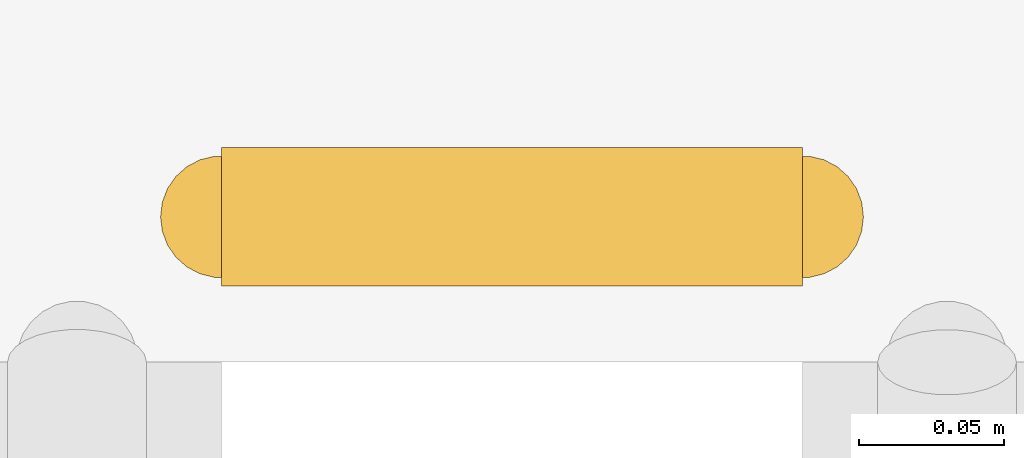
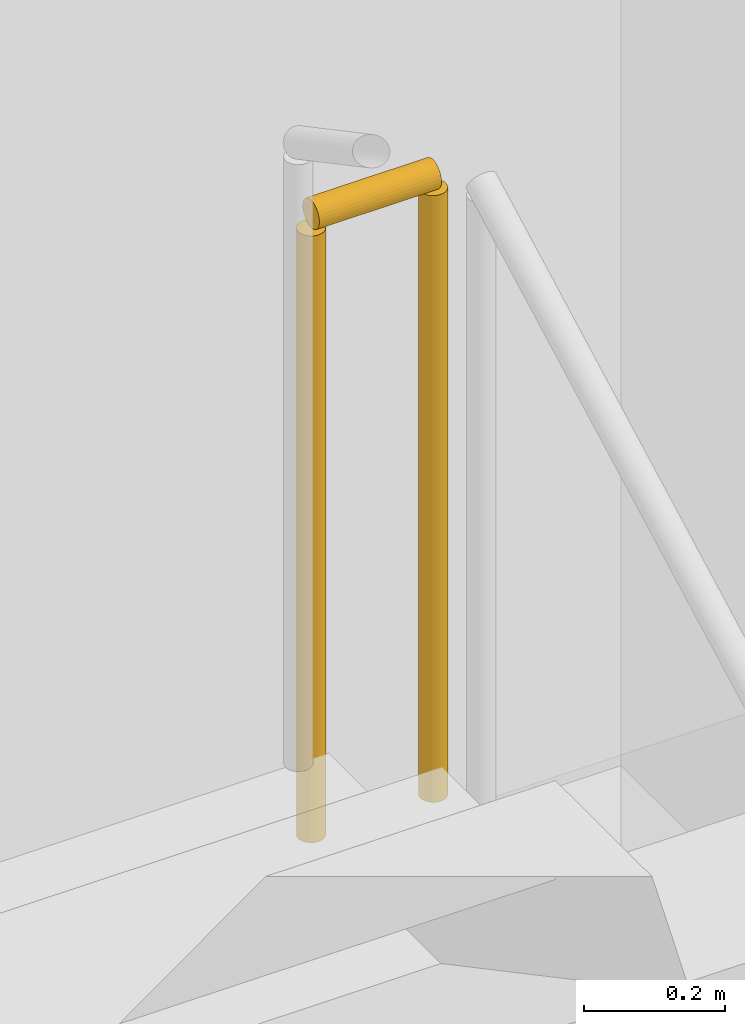
# One storey, part 62 of 63: 1 railing.
"""IFC4 building model written with IfcOpenShell, lengths in metres."""

import ifcopenshell
import ifcopenshell.guid

model = None  # the IFC model being written
_history = None  # IfcOwnerHistory: only IFC2X3 demands one
_inside = {}  # id of a spatial element -> (the spatial element, [elements in it])
_under = {}  # id of a project, library or spatial element -> (it, [spatial elements below it])
_declared = {}  # id of a project -> (the project, [libraries it declares])
_typed = {}  # id of a type object -> (the type object, [elements of that type])
_made_of = {}  # id of a material, layer set ... -> (it, [elements and type objects made of it])


def new_model(schema):
    """Start an empty IFC model of exactly this schema.

    Asked for "IFC4X3", IfcOpenShell would pick the latest addendum, in which some entities
    have other attributes; the version numbers below select the first issue.
    IFC2X3 requires an IfcOwnerHistory on every rooted entity: one is made here for all.
    """
    global model, _history
    if schema == "IFC4X3":
        model = ifcopenshell.file(schema_version=(4, 3, 0, 0))
    else:
        model = ifcopenshell.file(schema=schema)
    _inside.clear()
    _under.clear()
    _declared.clear()
    _typed.clear()
    _made_of.clear()
    _history = None
    if model.schema == "IFC2X3":
        org = make("IfcOrganization", Name="unknown")
        user = make(
            "IfcPersonAndOrganization",
            ThePerson=make("IfcPerson", FamilyName="unknown"),
            TheOrganization=org,
        )
        app = make(
            "IfcApplication",
            ApplicationDeveloper=org,
            Version="unknown",
            ApplicationFullName="unknown",
            ApplicationIdentifier="unknown",
        )
        _history = make(
            "IfcOwnerHistory",
            OwningUser=user,
            OwningApplication=app,
            ChangeAction="ADDED",
            CreationDate=0,
        )
    return model


def make(cls, **values):
    """One entity of the class cls with the attributes given. An attribute that is None is left unset."""
    return model.create_entity(
        cls, **{name: value for name, value in values.items() if value is not None}
    )


def rooted(cls, **values):
    """An entity with a GlobalId (a new one), such as an element, a storey or a relation."""
    return make(cls, GlobalId=ifcopenshell.guid.new(), OwnerHistory=_history, **values)


def si_unit(unit_type, name, prefix=None):
    """IfcSIUnit, for example si_unit("LENGTHUNIT", "METRE", prefix="MILLI")."""
    return make("IfcSIUnit", UnitType=unit_type, Prefix=prefix, Name=name)


def assignment(units):
    """IfcUnitAssignment: the units of a project."""
    return None if units is None else make("IfcUnitAssignment", Units=units)


def point(xyz):
    """IfcCartesianPoint."""
    return None if xyz is None else make("IfcCartesianPoint", Coordinates=xyz)


def direction(xyz):
    """IfcDirection."""
    return None if xyz is None else make("IfcDirection", DirectionRatios=xyz)


def frame(location, z_axis=None, x_axis=None):
    """IfcAxis2Placement3D, a coordinate frame: its origin and axes. An axis left out is left unset."""
    return make(
        "IfcAxis2Placement3D",
        Location=point(location),
        Axis=direction(z_axis),
        RefDirection=direction(x_axis),
    )


def frame_2d(location, x_axis=None):
    """IfcAxis2Placement2D, a coordinate frame in the plane: its origin and x axis."""
    return make(
        "IfcAxis2Placement2D", Location=point(location), RefDirection=direction(x_axis)
    )


def origin():
    """The frame at (0, 0, 0) with its axes left unset."""
    return frame((0.0, 0.0, 0.0))


def origin_2d():
    """The frame at (0, 0) in the plane with its x axis left unset."""
    return frame_2d((0.0, 0.0))


def place(relative_to, where):
    """IfcLocalPlacement: puts the frame where relative to a parent placement (None: the world)."""
    return make(
        "IfcLocalPlacement", PlacementRelTo=relative_to, RelativePlacement=where
    )


def context(
    kind, dimensions, precision=None, world=None, true_north=None, identifier=None
):
    """IfcGeometricRepresentationContext, for example the 3D "Model" context."""
    return make(
        "IfcGeometricRepresentationContext",
        ContextIdentifier=identifier,
        ContextType=kind,
        CoordinateSpaceDimension=dimensions,
        Precision=precision,
        WorldCoordinateSystem=world,
        TrueNorth=true_north,
    )


def subcontext(parent, identifier, kind, view, scale=None):
    """IfcGeometricRepresentationSubContext, for example "Body" below "Model"."""
    return make(
        "IfcGeometricRepresentationSubContext",
        ContextIdentifier=identifier,
        ContextType=kind,
        ParentContext=parent,
        TargetScale=scale,
        TargetView=view,
    )


def project(units=None, contexts=None):
    """IfcProject with its units and contexts."""
    return rooted(
        "IfcProject",
        Name="project",
        RepresentationContexts=contexts,
        UnitsInContext=assignment(units),
    )


def spatial(cls, under=None, at=None, **own):
    """A site, building, storey or space (cls), placed at a placement, below another one or the project."""
    s = rooted(cls, ObjectPlacement=at, **own)
    if under is not None:
        _under.setdefault(under.id(), (under, []))[1].append(s)
    return s


def profile(cls, at=None, kind="AREA", **sizes):
    """A parametric profile (cls). Its sizes go by their IFC names, for example OverallWidth=200.0."""
    return make(cls, ProfileType=kind, Position=at, **sizes)


def circle(**sizes):
    """IfcCircleProfileDef."""
    return profile("IfcCircleProfileDef", **sizes)


def extrude(swept, where, along, depth):
    """IfcExtrudedAreaSolid: the profile swept, set in the frame where, extruded along a direction by depth."""
    return make(
        "IfcExtrudedAreaSolid",
        SweptArea=swept,
        Position=where,
        ExtrudedDirection=direction(along),
        Depth=depth,
    )


def shape(context_of_items, identifier, shape_type, items):
    """IfcShapeRepresentation: the items that make up one representation, for example the "Body"."""
    return make(
        "IfcShapeRepresentation",
        ContextOfItems=context_of_items,
        RepresentationIdentifier=identifier,
        RepresentationType=shape_type,
        Items=items,
    )


def material(Name=None, Category=None):
    """IfcMaterial."""
    return make("IfcMaterial", Name=Name, Category=Category)


def made_of(thing, what):
    """Note that an element or type object is made of a material, layer set ...; save() writes the relation."""
    if what is not None:
        _made_of.setdefault(what.id(), (what, []))[1].append(thing)
    return thing


def type_object(cls, material=None, **own):
    """A type object (cls), such as IfcWallType, which elements share."""
    return made_of(rooted(cls, **own), material)


def element(
    cls,
    number,
    at=None,
    inside=None,
    cuts=None,
    type_object=None,
    material=None,
    context=None,
    identifier="Body",
    shape_type=None,
    held_by="IfcProductDefinitionShape",
    body=None,
    shapes=None,
    **own,
):
    """One element of the class cls, such as IfcWall. Its Tag is "e" and its number.

    at: its placement. inside: the storey or other place that contains it. cuts: it is an
    opening in that element (IfcRelVoidsElement). A single representation is given by context,
    identifier, shape_type and body (its items); several are given by shapes. held_by: the class
    of the entity that holds the representations. save() writes the other relations.
    """
    e = rooted(cls, Tag="e%d" % number, ObjectPlacement=at, **own)
    if body is not None:
        shapes = [shape(context, identifier, shape_type, body)]
    if shapes is not None:
        e.Representation = make(held_by, Representations=shapes)
    if inside is not None:
        _inside.setdefault(inside.id(), (inside, []))[1].append(e)
    if cuts is not None:
        rooted(
            "IfcRelVoidsElement", RelatingBuildingElement=cuts, RelatedOpeningElement=e
        )
    if type_object is not None:
        _typed.setdefault(type_object.id(), (type_object, []))[1].append(e)
    return made_of(e, material)


def aggregate(whole, parts):
    """IfcRelAggregates: a whole, such as a stair, and the parts it consists of."""
    return rooted("IfcRelAggregates", RelatingObject=whole, RelatedObjects=parts)


def save(model, path):
    """Write the relations noted so far, then the file.

    IfcRelAggregates (storeys below a building ...), IfcRelContainedInSpatialStructure (elements
    in a storey), IfcRelDefinesByType, IfcRelAssociatesMaterial and IfcRelDeclares: one each for
    every whole, place, type object, material and project.
    """
    for whole, parts in _under.values():
        aggregate(whole, parts)
    for where, things in _inside.values():
        rooted(
            "IfcRelContainedInSpatialStructure",
            RelatedElements=things,
            RelatingStructure=where,
        )
    for kind, things in _typed.values():
        rooted("IfcRelDefinesByType", RelatedObjects=things, RelatingType=kind)
    for what, things in _made_of.values():
        rooted("IfcRelAssociatesMaterial", RelatedObjects=things, RelatingMaterial=what)
    for by, libraries in _declared.values():
        rooted("IfcRelDeclares", RelatingContext=by, RelatedDefinitions=libraries)
    model.write(path)


model = new_model("IFC4")

# Units and contexts
model_context = context("Model", 3, precision=1e-05, world=origin(), true_north=direction((0.0, 1.0)))
body_context = subcontext(model_context, "Body", "Model", "MODEL_VIEW")
ifc_project = project(units=[si_unit("LENGTHUNIT", "METRE"), si_unit("AREAUNIT", "SQUARE_METRE"), si_unit("VOLUMEUNIT", "CUBIC_METRE"), si_unit("PLANEANGLEUNIT", "RADIAN"), si_unit("MASSUNIT", "GRAM", prefix="KILO")], contexts=[model_context])

# Site, building, storey
site_placement = place(None, origin())
site = spatial("IfcSite", under=ifc_project, at=site_placement, CompositionType="ELEMENT")
building_placement = place(site_placement, origin())
building = spatial("IfcBuilding", under=site, at=building_placement, Name="Sefraquen Railside Congress Hotel", CompositionType="ELEMENT")
storey_placement = place(building_placement, frame((0.0, 0.0, 11.39990234375)))
storey = spatial("IfcBuildingStorey", under=building, at=storey_placement, Name="L02", CompositionType="ELEMENT", Elevation=11.39990234375)

# Railing
ifc_material = material(Name="Patinated wrought architectural bronze", Category="metal")
railing_type = type_object("IfcRailingType", Name="TRL-BAL-110", PredefinedType="BALUSTRADE", material=ifc_material)
railing_placement = place(storey_placement, frame((67.080078125, 103.716064453125, 2.400146484375)))
element("IfcRailing", 1, at=railing_placement, inside=storey, type_object=railing_type, Name="L02 ST-H03 stair guard 2", PredefinedType="BALUSTRADE", context=body_context, shape_type="SweptSolid", body=[
    extrude(circle(Radius=0.02392578125, at=origin_2d()), frame((0.0, 0.0, 1.076171875), z_axis=(-1.0, 0.0, 0.0), x_axis=(0.0, -1.0, 0.0)), (0.0, 0.0, 1.0), 0.2001953125),
    extrude(circle(Radius=0.02099609375, at=origin_2d()), origin(), (0.0, 0.0, 1.0), 1.052001953125),
    extrude(circle(Radius=0.02099609375, at=origin_2d()), frame((-0.2001953125, 0.0, 0.0)), (0.0, 0.0, 1.0), 1.052001953125),
])

save(model, "model.ifc")
